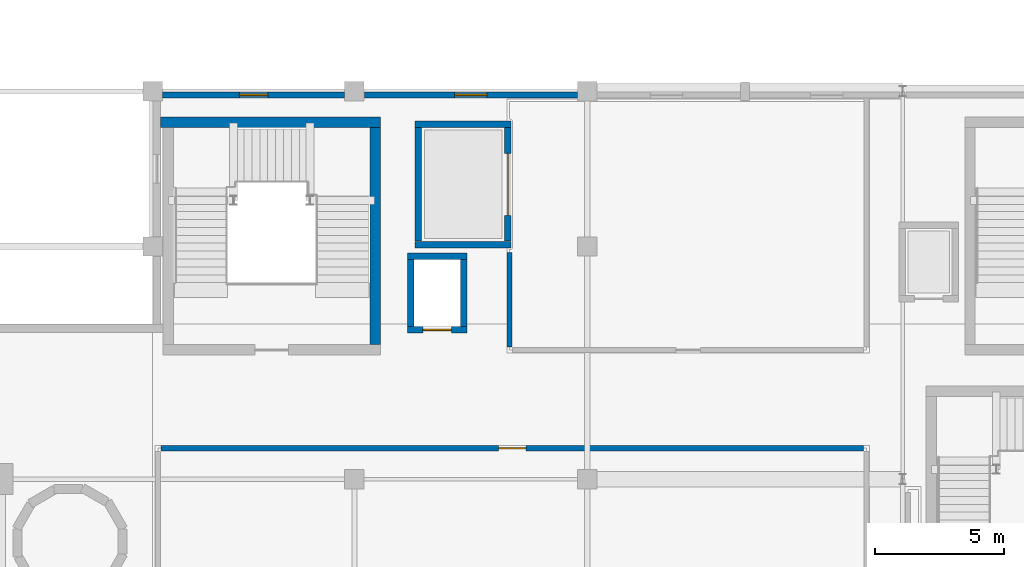
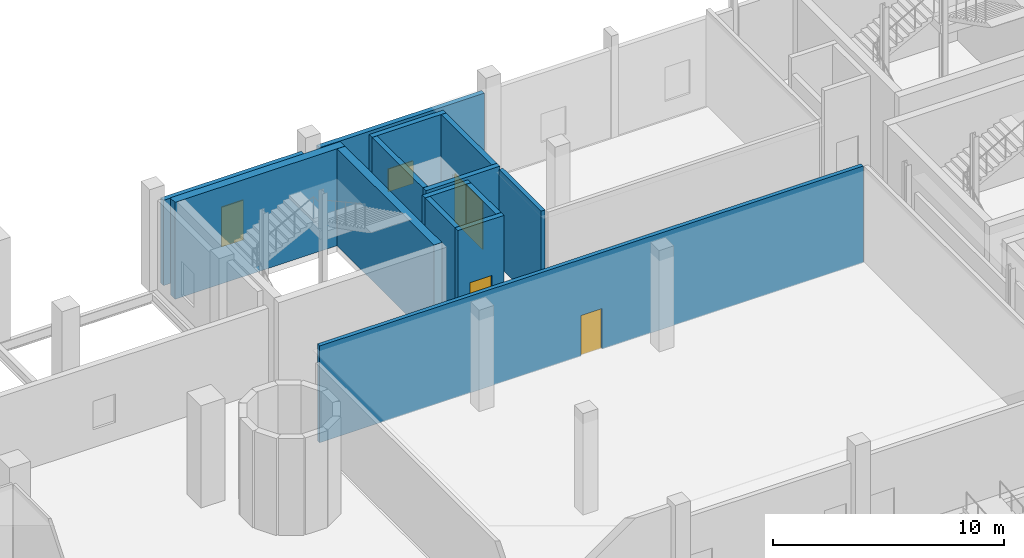
# One storey, part 43 of 57: 14 walls, 3 doors, 2 windows, 5 openings.
"""IFC4 building model written with IfcOpenShell, lengths in metres."""

import ifcopenshell
import ifcopenshell.guid

model = None  # the IFC model being written
_history = None  # IfcOwnerHistory: only IFC2X3 demands one
_inside = {}  # id of a spatial element -> (the spatial element, [elements in it])
_under = {}  # id of a project, library or spatial element -> (it, [spatial elements below it])
_declared = {}  # id of a project -> (the project, [libraries it declares])
_typed = {}  # id of a type object -> (the type object, [elements of that type])
_made_of = {}  # id of a material, layer set ... -> (it, [elements and type objects made of it])


def new_model(schema):
    """Start an empty IFC model of exactly this schema.

    Asked for "IFC4X3", IfcOpenShell would pick the latest addendum, in which some entities
    have other attributes; the version numbers below select the first issue.
    IFC2X3 requires an IfcOwnerHistory on every rooted entity: one is made here for all.
    """
    global model, _history
    if schema == "IFC4X3":
        model = ifcopenshell.file(schema_version=(4, 3, 0, 0))
    else:
        model = ifcopenshell.file(schema=schema)
    _inside.clear()
    _under.clear()
    _declared.clear()
    _typed.clear()
    _made_of.clear()
    _history = None
    if model.schema == "IFC2X3":
        org = make("IfcOrganization", Name="unknown")
        user = make(
            "IfcPersonAndOrganization",
            ThePerson=make("IfcPerson", FamilyName="unknown"),
            TheOrganization=org,
        )
        app = make(
            "IfcApplication",
            ApplicationDeveloper=org,
            Version="unknown",
            ApplicationFullName="unknown",
            ApplicationIdentifier="unknown",
        )
        _history = make(
            "IfcOwnerHistory",
            OwningUser=user,
            OwningApplication=app,
            ChangeAction="ADDED",
            CreationDate=0,
        )
    return model


def make(cls, **values):
    """One entity of the class cls with the attributes given. An attribute that is None is left unset."""
    return model.create_entity(
        cls, **{name: value for name, value in values.items() if value is not None}
    )


def rooted(cls, **values):
    """An entity with a GlobalId (a new one), such as an element, a storey or a relation."""
    return make(cls, GlobalId=ifcopenshell.guid.new(), OwnerHistory=_history, **values)


def si_unit(unit_type, name, prefix=None):
    """IfcSIUnit, for example si_unit("LENGTHUNIT", "METRE", prefix="MILLI")."""
    return make("IfcSIUnit", UnitType=unit_type, Prefix=prefix, Name=name)


def derived_unit(unit_type, elements):
    """IfcDerivedUnit: a product of units, each with its exponent."""
    return make(
        "IfcDerivedUnit",
        Elements=[
            make("IfcDerivedUnitElement", Unit=unit, Exponent=power)
            for unit, power in elements
        ],
        UnitType=unit_type,
    )


def assignment(units):
    """IfcUnitAssignment: the units of a project."""
    return None if units is None else make("IfcUnitAssignment", Units=units)


def point(xyz):
    """IfcCartesianPoint."""
    return None if xyz is None else make("IfcCartesianPoint", Coordinates=xyz)


def direction(xyz):
    """IfcDirection."""
    return None if xyz is None else make("IfcDirection", DirectionRatios=xyz)


def frame(location, z_axis=None, x_axis=None):
    """IfcAxis2Placement3D, a coordinate frame: its origin and axes. An axis left out is left unset."""
    return make(
        "IfcAxis2Placement3D",
        Location=point(location),
        Axis=direction(z_axis),
        RefDirection=direction(x_axis),
    )


def frame_2d(location, x_axis=None):
    """IfcAxis2Placement2D, a coordinate frame in the plane: its origin and x axis."""
    return make(
        "IfcAxis2Placement2D", Location=point(location), RefDirection=direction(x_axis)
    )


def origin():
    """The frame at (0, 0, 0) with its axes left unset."""
    return frame((0.0, 0.0, 0.0))


def place(relative_to, where):
    """IfcLocalPlacement: puts the frame where relative to a parent placement (None: the world)."""
    return make(
        "IfcLocalPlacement", PlacementRelTo=relative_to, RelativePlacement=where
    )


def context(
    kind, dimensions, precision=None, world=None, true_north=None, identifier=None
):
    """IfcGeometricRepresentationContext, for example the 3D "Model" context."""
    return make(
        "IfcGeometricRepresentationContext",
        ContextIdentifier=identifier,
        ContextType=kind,
        CoordinateSpaceDimension=dimensions,
        Precision=precision,
        WorldCoordinateSystem=world,
        TrueNorth=true_north,
    )


def subcontext(parent, identifier, kind, view, scale=None):
    """IfcGeometricRepresentationSubContext, for example "Body" below "Model"."""
    return make(
        "IfcGeometricRepresentationSubContext",
        ContextIdentifier=identifier,
        ContextType=kind,
        ParentContext=parent,
        TargetScale=scale,
        TargetView=view,
    )


def project(units=None, contexts=None):
    """IfcProject with its units and contexts."""
    return rooted(
        "IfcProject",
        Name="project",
        RepresentationContexts=contexts,
        UnitsInContext=assignment(units),
    )


def spatial(cls, under=None, at=None, **own):
    """A site, building, storey or space (cls), placed at a placement, below another one or the project."""
    s = rooted(cls, ObjectPlacement=at, **own)
    if under is not None:
        _under.setdefault(under.id(), (under, []))[1].append(s)
    return s


def profile(cls, at=None, kind="AREA", **sizes):
    """A parametric profile (cls). Its sizes go by their IFC names, for example OverallWidth=200.0."""
    return make(cls, ProfileType=kind, Position=at, **sizes)


def rectangle(**sizes):
    """IfcRectangleProfileDef."""
    return profile("IfcRectangleProfileDef", **sizes)


def extrude(swept, where, along, depth):
    """IfcExtrudedAreaSolid: the profile swept, set in the frame where, extruded along a direction by depth."""
    return make(
        "IfcExtrudedAreaSolid",
        SweptArea=swept,
        Position=where,
        ExtrudedDirection=direction(along),
        Depth=depth,
    )


def shape(context_of_items, identifier, shape_type, items):
    """IfcShapeRepresentation: the items that make up one representation, for example the "Body"."""
    return make(
        "IfcShapeRepresentation",
        ContextOfItems=context_of_items,
        RepresentationIdentifier=identifier,
        RepresentationType=shape_type,
        Items=items,
    )


def material(Name=None, Category=None):
    """IfcMaterial."""
    return make("IfcMaterial", Name=Name, Category=Category)


def layer(
    of_material, thickness, ventilated=None, Name=None, Category=None, Priority=None
):
    """IfcMaterialLayer: one layer of a wall or slab, of a material (None: an air gap)."""
    return make(
        "IfcMaterialLayer",
        Material=of_material,
        LayerThickness=thickness,
        IsVentilated=ventilated,
        Name=Name,
        Category=Category,
        Priority=Priority,
    )


def layer_set(layers, Name=None):
    """IfcMaterialLayerSet."""
    return make("IfcMaterialLayerSet", MaterialLayers=layers, LayerSetName=Name)


def made_of(thing, what):
    """Note that an element or type object is made of a material, layer set ...; save() writes the relation."""
    if what is not None:
        _made_of.setdefault(what.id(), (what, []))[1].append(thing)
    return thing


def type_object(cls, material=None, **own):
    """A type object (cls), such as IfcWallType, which elements share."""
    return made_of(rooted(cls, **own), material)


def element(
    cls,
    number,
    at=None,
    inside=None,
    cuts=None,
    type_object=None,
    material=None,
    context=None,
    identifier="Body",
    shape_type=None,
    held_by="IfcProductDefinitionShape",
    body=None,
    shapes=None,
    **own,
):
    """One element of the class cls, such as IfcWall. Its Tag is "e" and its number.

    at: its placement. inside: the storey or other place that contains it. cuts: it is an
    opening in that element (IfcRelVoidsElement). A single representation is given by context,
    identifier, shape_type and body (its items); several are given by shapes. held_by: the class
    of the entity that holds the representations. save() writes the other relations.
    """
    e = rooted(cls, Tag="e%d" % number, ObjectPlacement=at, **own)
    if body is not None:
        shapes = [shape(context, identifier, shape_type, body)]
    if shapes is not None:
        e.Representation = make(held_by, Representations=shapes)
    if inside is not None:
        _inside.setdefault(inside.id(), (inside, []))[1].append(e)
    if cuts is not None:
        rooted(
            "IfcRelVoidsElement", RelatingBuildingElement=cuts, RelatedOpeningElement=e
        )
    if type_object is not None:
        _typed.setdefault(type_object.id(), (type_object, []))[1].append(e)
    return made_of(e, material)


def fill(opening, filler):
    """IfcRelFillsElement: the door or window that sits in an opening."""
    return rooted(
        "IfcRelFillsElement",
        RelatingOpeningElement=opening,
        RelatedBuildingElement=filler,
    )


def aggregate(whole, parts):
    """IfcRelAggregates: a whole, such as a stair, and the parts it consists of."""
    return rooted("IfcRelAggregates", RelatingObject=whole, RelatedObjects=parts)


def save(model, path):
    """Write the relations noted so far, then the file.

    IfcRelAggregates (storeys below a building ...), IfcRelContainedInSpatialStructure (elements
    in a storey), IfcRelDefinesByType, IfcRelAssociatesMaterial and IfcRelDeclares: one each for
    every whole, place, type object, material and project.
    """
    for whole, parts in _under.values():
        aggregate(whole, parts)
    for where, things in _inside.values():
        rooted(
            "IfcRelContainedInSpatialStructure",
            RelatedElements=things,
            RelatingStructure=where,
        )
    for kind, things in _typed.values():
        rooted("IfcRelDefinesByType", RelatedObjects=things, RelatingType=kind)
    for what, things in _made_of.values():
        rooted("IfcRelAssociatesMaterial", RelatedObjects=things, RelatingMaterial=what)
    for by, libraries in _declared.values():
        rooted("IfcRelDeclares", RelatingContext=by, RelatedDefinitions=libraries)
    model.write(path)


model = new_model("IFC4")

# Units and contexts
model_context = context("Model", 3, precision=1e-05, world=origin(), true_north=direction((0.0, 1.0)))
body_context = subcontext(model_context, "Body", "Model", "MODEL_VIEW")
ifc_project = project(units=[si_unit("LENGTHUNIT", "METRE"), si_unit("AREAUNIT", "SQUARE_METRE"), si_unit("VOLUMEUNIT", "CUBIC_METRE"), si_unit("PLANEANGLEUNIT", "RADIAN"), si_unit("MASSUNIT", "GRAM", prefix="KILO"), derived_unit("THERMALTRANSMITTANCEUNIT", [(si_unit("POWERUNIT", "WATT"), 1), (si_unit("LENGTHUNIT", "METRE"), -2), (si_unit("THERMODYNAMICTEMPERATUREUNIT", "KELVIN"), -1)])], contexts=[model_context])

# Site, building, storey
site_placement = place(None, origin())
site = spatial("IfcSite", under=ifc_project, at=site_placement, CompositionType="ELEMENT")
building_placement = place(site_placement, origin())
building = spatial("IfcBuilding", under=site, at=building_placement, Name="Nallur Shell Playhouse", CompositionType="ELEMENT")
storey_placement = place(building_placement, origin())
storey = spatial("IfcBuildingStorey", under=building, at=storey_placement, Name="L01", CompositionType="ELEMENT", Elevation=0.0)

# Walls
ifc_material_1 = material(Name="Concrete M45", Category="concrete")
ifc_layer_1 = layer(ifc_material_1, 0.39990234375)
ifc_layer_set_1 = layer_set([ifc_layer_1], Name="Concrete M45")
wall_type_1 = type_object("IfcWallType", Name="WL-CORE-400", PredefinedType="SHEAR", material=ifc_layer_set_1)
wall_1_placement = place(storey_placement, frame((127.39990234375, 54.800048828125, 0.0), z_axis=(0.0, 0.0, 1.0), x_axis=(-1.0, 0.0, 0.0)))
element("IfcWall", 1, at=wall_1_placement, inside=storey, type_object=wall_type_1, Name="Joint Core JC-2 shear wall N (L01)", PredefinedType="SHEAR", context=body_context, shape_type="SweptSolid", body=[
    extrude(rectangle(XDim=8.495849609375, YDim=0.39990234375, at=frame_2d((4.248046875, 0.0))), origin(), (0.0, 0.0, 1.0), 5.1201171875),
])
wall_2_placement = place(storey_placement, frame((127.199951171875, 46.2099609375, 0.0), z_axis=(0.0, 0.0, 1.0), x_axis=(0.0, 1.0, 0.0)))
element("IfcWall", 2, at=wall_2_placement, inside=storey, type_object=wall_type_1, Name="Joint Core JC-2 shear wall E (L01)", PredefinedType="SHEAR", context=body_context, shape_type="SweptSolid", body=[
    extrude(rectangle(XDim=8.380126953125, YDim=0.39990234375, at=frame_2d((4.18994140625, 0.0))), origin(), (0.0, 0.0, 1.0), 5.1201171875),
])

# Wall, opening, window
ifc_material_2 = material(Name="Precast concrete M40", Category="concrete")
ifc_layer_2 = layer(ifc_material_2, 0.239990234375)
ifc_layer_set_2 = layer_set([ifc_layer_2], Name="Precast concrete M40")
wall_type_2 = type_object("IfcWallType", Name="WL-EXT-CLAD240", PredefinedType="ELEMENTEDWALL", material=ifc_layer_set_2)
wall_3_placement = place(storey_placement, frame((118.98291015625, 55.860107421875, 0.0), z_axis=(0.0, 0.0, 1.0), x_axis=(1.0, 0.0, 0.0)))
wall_3 = element("IfcWall", 3, at=wall_3_placement, inside=storey, type_object=wall_type_2, Name="L01 exterior wall EW-L01-029", PredefinedType="ELEMENTEDWALL", context=body_context, shape_type="SweptSolid", body=[
    extrude(rectangle(XDim=7.0341796875, YDim=0.239990234375, at=frame_2d((3.51708984375, 0.0))), origin(), (0.0, 0.0, 1.0), 4.5048828125),
])
opening_1_placement = place(wall_3_placement, frame((2.967041015625, 0.0, 0.949951171875)))
opening_1 = element("IfcOpeningElement", 4, at=opening_1_placement, cuts=wall_3, Name="Opening WN-08", PredefinedType="OPENING", context=body_context, shape_type="SweptSolid", body=[
    extrude(rectangle(XDim=1.10009765625, YDim=2.10009765625, at=frame_2d((0.550048828125, 1.050048828125))), frame((0.0, 0.1298828125, 0.0), z_axis=(0.0, -1.0, 0.0), x_axis=(1.0, 0.0, 0.0)), (0.0, 0.0, 1.0), 0.260009765625),
])
ifc_material_3 = material(Name="Thermally Broken Aluminium Acoustic Double-Glazed Window", Category="aluminium")
window_type_1 = type_object("IfcWindowType", Name="WN-TYPE-08", PartitioningType="SINGLE_PANEL", PredefinedType="WINDOW", material=ifc_material_3)
window_1_placement = place(opening_1_placement, origin())
window_1 = element("IfcWindow", 5, at=window_1_placement, inside=storey, type_object=window_type_1, Name="L01 facade module window 008", OverallHeight=2.10009765625, OverallWidth=1.10009765625, PartitioningType="SINGLE_PANEL", PredefinedType="WINDOW", context=body_context, shape_type="SweptSolid", body=[
    extrude(rectangle(XDim=1.10009765625, YDim=2.10009765625, at=frame_2d((0.550048828125, 1.050048828125))), frame((0.0, 0.030029296875, 0.0), z_axis=(0.0, -1.0, 0.0), x_axis=(1.0, 0.0, 0.0)), (0.0, 0.0, 1.0), 0.06005859375),
])
fill(opening_1, window_1)

wall_4_placement = place(storey_placement, frame((126.782958984375, 55.860107421875, 0.0), z_axis=(0.0, 0.0, 1.0), x_axis=(1.0, 0.0, 0.0)))
wall_4 = element("IfcWall", 6, at=wall_4_placement, inside=storey, type_object=wall_type_2, Name="L01 exterior wall EW-L01-030", PredefinedType="ELEMENTEDWALL", context=body_context, shape_type="SweptSolid", body=[
    extrude(rectangle(XDim=8.234130859375, YDim=0.239990234375, at=frame_2d((4.1171875, 0.0))), origin(), (0.0, 0.0, 1.0), 4.554931640625),
])
opening_2_placement = place(wall_4_placement, frame((3.491943359375, 0.0, 0.949951171875)))
opening_2 = element("IfcOpeningElement", 7, at=opening_2_placement, cuts=wall_4, Name="Opening WN-09", PredefinedType="OPENING", context=body_context, shape_type="SweptSolid", body=[
    extrude(rectangle(XDim=1.25, YDim=1.199951171875, at=frame_2d((0.625, 0.60009765625))), frame((0.0, 0.1298828125, 0.0), z_axis=(0.0, -1.0, 0.0), x_axis=(1.0, 0.0, 0.0)), (0.0, 0.0, 1.0), 0.260009765625),
])
window_type_2 = type_object("IfcWindowType", Name="WN-TYPE-09", PartitioningType="SINGLE_PANEL", PredefinedType="WINDOW", material=ifc_material_3)
window_2_placement = place(opening_2_placement, origin())
window_2 = element("IfcWindow", 8, at=window_2_placement, inside=storey, type_object=window_type_2, Name="L01 facade module window 009", OverallHeight=1.199951171875, OverallWidth=1.25, PartitioningType="SINGLE_PANEL", PredefinedType="WINDOW", context=body_context, shape_type="SweptSolid", body=[
    extrude(rectangle(XDim=1.25, YDim=1.199951171875, at=frame_2d((0.625, 0.60009765625))), frame((0.0, 0.030029296875, 0.0), z_axis=(0.0, -1.0, 0.0), x_axis=(1.0, 0.0, 0.0)), (0.0, 0.0, 1.0), 0.06005859375),
])
fill(opening_2, window_2)

# Wall, opening, door
ifc_material_4 = material(Name="Concrete M30", Category="concrete")
ifc_layer_3 = layer(ifc_material_4, 0.199951171875)
ifc_layer_set_3 = layer_set([ifc_layer_3], Name="Concrete M30")
wall_type_3 = type_object("IfcWallType", Name="WL-PART-AC200", PredefinedType="PARTITIONING", material=ifc_layer_set_3)
wall_5_placement = place(storey_placement, frame((118.919921875, 42.199951171875, 0.0), z_axis=(0.0, 0.0, 1.0), x_axis=(1.0, 0.0, 0.0)))
wall_5 = element("IfcWall", 9, at=wall_5_placement, inside=storey, type_object=wall_type_3, Name="Monsoon Courtyard Arts Cafe partition IW-L01-0059", PredefinedType="PARTITIONING", context=body_context, shape_type="SweptSolid", body=[
    extrude(rectangle(XDim=27.16015625, YDim=0.199951171875, at=frame_2d((13.580078125, 0.0))), origin(), (0.0, 0.0, 1.0), 5.110107421875),
])
opening_3_placement = place(wall_5_placement, frame((13.054931640625, 0.0, 0.0)))
opening_3 = element("IfcOpeningElement", 10, at=opening_3_placement, cuts=wall_5, Name="Opening ID-02", PredefinedType="OPENING", context=body_context, shape_type="SweptSolid", body=[
    extrude(rectangle(XDim=1.050048828125, YDim=2.14990234375, at=frame_2d((0.52490234375, 1.074951171875))), frame((0.0, 0.10986328125, 0.0), z_axis=(0.0, -1.0, 0.0), x_axis=(1.0, 0.0, 0.0)), (0.0, 0.0, 1.0), 0.219970703125),
])
ifc_material_5 = material(Name="Solid-Core Engineered Timber Fire Door", Category="wood")
door_type_1 = type_object("IfcDoorType", Name="DR-INT-SGL1050R", OperationType="SINGLE_SWING_RIGHT", PredefinedType="DOOR", material=ifc_material_5)
door_1_placement = place(opening_3_placement, origin())
door_1 = element("IfcDoor", 11, at=door_1_placement, inside=storey, type_object=door_type_1, Name="Monsoon Courtyard Arts Cafe door 1", OperationType="SINGLE_SWING_RIGHT", OverallHeight=2.14990234375, OverallWidth=1.050048828125, PredefinedType="DOOR", context=body_context, shape_type="SweptSolid", body=[
    extrude(rectangle(XDim=1.050048828125, YDim=2.14990234375, at=frame_2d((0.52490234375, 1.074951171875))), frame((0.0, 0.02490234375, 0.0), z_axis=(0.0, -1.0, 0.0), x_axis=(1.0, 0.0, 0.0)), (0.0, 0.0, 1.0), 0.050048828125),
])
fill(opening_3, door_1)

# Wall
wall_6_placement = place(storey_placement, frame((132.39990234375, 46.1201171875, 0.0), z_axis=(0.0, 0.0, 1.0), x_axis=(0.0, 1.0, 0.0)))
element("IfcWall", 12, at=wall_6_placement, inside=storey, type_object=wall_type_3, Name="Commercial Catering Kitchen & Scullery partition IW-L01-0064", PredefinedType="PARTITIONING", context=body_context, shape_type="SweptSolid", body=[
    extrude(rectangle(XDim=3.639892578125, YDim=0.199951171875, at=frame_2d((1.81982421875, 0.0))), origin(), (0.0, 0.0, 1.0), 5.110107421875),
])

# Wall, opening, door
ifc_layer_4 = layer(ifc_material_1, 0.25)
ifc_layer_set_4 = layer_set([ifc_layer_4], Name="Concrete M45")
wall_type_4 = type_object("IfcWallType", Name="WL-SHAFT-250", PredefinedType="STANDARD", material=ifc_layer_set_4)
wall_7_placement = place(storey_placement, frame((128.449951171875, 46.77490234375, 0.0), z_axis=(0.0, 0.0, 1.0), x_axis=(1.0, 0.0, 0.0)))
wall_7 = element("IfcWall", 13, at=wall_7_placement, inside=storey, type_object=wall_type_4, Name="Passenger Lift PL-2 shaft wall south (L01)", PredefinedType="STANDARD", context=body_context, shape_type="SweptSolid", body=[
    extrude(rectangle(XDim=2.300048828125, YDim=0.25, at=frame_2d((1.14990234375, 0.0))), origin(), (0.0, 0.0, 1.0), 5.110107421875),
])
opening_4_placement = place(wall_7_placement, frame((0.60009765625, 0.0, 0.0)))
opening_4 = element("IfcOpeningElement", 14, at=opening_4_placement, cuts=wall_7, Name="Opening LD-P1", PredefinedType="OPENING", context=body_context, shape_type="SweptSolid", body=[
    extrude(rectangle(XDim=1.10009765625, YDim=2.14990234375, at=frame_2d((0.550048828125, 1.074951171875))), frame((0.0, 0.135009765625, 0.0), z_axis=(0.0, -1.0, 0.0), x_axis=(1.0, 0.0, 0.0)), (0.0, 0.0, 1.0), 0.27001953125),
])
ifc_material_6 = material(Name="Brushed Stainless Steel Lift Landing Door", Category="steel")
door_type_2 = type_object("IfcDoorType", Name="DR-LIFT-PASS", OperationType="DOUBLE_DOOR_SLIDING", PredefinedType="DOOR", material=ifc_material_6)
door_2_placement = place(opening_4_placement, origin())
door_2 = element("IfcDoor", 15, at=door_2_placement, inside=storey, type_object=door_type_2, Name="Passenger Lift PL-2 sliding landing door (L01)", OperationType="DOUBLE_DOOR_SLIDING", OverallHeight=2.14990234375, OverallWidth=1.10009765625, PredefinedType="DOOR", context=body_context, shape_type="SweptSolid", body=[
    extrude(rectangle(XDim=1.10009765625, YDim=2.14990234375, at=frame_2d((0.550048828125, 1.074951171875))), frame((0.0, 0.02490234375, 0.0), z_axis=(0.0, -1.0, 0.0), x_axis=(1.0, 0.0, 0.0)), (0.0, 0.0, 1.0), 0.050048828125),
])
fill(opening_4, door_2)

# Walls
wall_8_placement = place(storey_placement, frame((130.75, 49.625, 0.0), z_axis=(0.0, 0.0, 1.0), x_axis=(-1.0, 0.0, 0.0)))
element("IfcWall", 16, at=wall_8_placement, inside=storey, type_object=wall_type_4, Name="Passenger Lift PL-2 shaft wall north (L01)", PredefinedType="STANDARD", context=body_context, shape_type="SweptSolid", body=[
    extrude(rectangle(XDim=2.300048828125, YDim=0.25, at=frame_2d((1.14990234375, 0.0))), origin(), (0.0, 0.0, 1.0), 5.110107421875),
])
for number, where, z_axis, x_axis, name in (
    (17, (130.625, 46.909912109375, 0.0), (0.0, 0.0, 1.0), (0.0, 1.0, 0.0), "Passenger Lift PL-2 shaft wall east (L01)"),
    (18, (128.574951171875, 49.489990234375, 0.0), (0.0, 0.0, 1.0), (0.0, -1.0, 0.0), "Passenger Lift PL-2 shaft wall west (L01)"),
):
    element("IfcWall", number, at=place(storey_placement, frame(where, z_axis=z_axis, x_axis=x_axis)), inside=storey, type_object=wall_type_4, Name=name, PredefinedType="STANDARD", context=body_context, shape_type="SweptSolid", body=[
        extrude(rectangle(XDim=2.580078125, YDim=0.25, at=frame_2d((1.2900390625, 0.0))), origin(), (0.0, 0.0, 1.0), 5.110107421875),
    ])
for number, where, z_axis, x_axis, name in (
    (19, (128.75, 50.074951171875, 0.0), (0.0, 0.0, 1.0), (1.0, 0.0, 0.0), "Stage Service Lift SL-2 shaft wall south (L01)"),
    (20, (132.449951171875, 54.72509765625, 0.0), (0.0, 0.0, 1.0), (-1.0, 0.0, 0.0), "Stage Service Lift SL-2 shaft wall north (L01)"),
):
    element("IfcWall", number, at=place(storey_placement, frame(where, z_axis=z_axis, x_axis=x_axis)), inside=storey, type_object=wall_type_4, Name=name, PredefinedType="STANDARD", context=body_context, shape_type="SweptSolid", body=[
        extrude(rectangle(XDim=3.699951171875, YDim=0.25, at=frame_2d((1.85009765625, 0.0))), origin(), (0.0, 0.0, 1.0), 5.110107421875),
    ])

# Wall, opening, door
wall_9_placement = place(storey_placement, frame((132.324951171875, 50.2099609375, 0.0), z_axis=(0.0, 0.0, 1.0), x_axis=(0.0, 1.0, 0.0)))
wall_9 = element("IfcWall", 21, at=wall_9_placement, inside=storey, type_object=wall_type_4, Name="Stage Service Lift SL-2 shaft wall east (L01)", PredefinedType="STANDARD", context=body_context, shape_type="SweptSolid", body=[
    extrude(rectangle(XDim=4.380126953125, YDim=0.25, at=frame_2d((2.18994140625, 0.0))), origin(), (0.0, 0.0, 1.0), 5.110107421875),
])
opening_5_placement = place(wall_9_placement, frame((0.989990234375, 0.0, 0.0)))
opening_5 = element("IfcOpeningElement", 22, at=opening_5_placement, cuts=wall_9, Name="Opening LD-S1", PredefinedType="OPENING", context=body_context, shape_type="SweptSolid", body=[
    extrude(rectangle(XDim=2.39990234375, YDim=2.550048828125, at=frame_2d((1.199951171875, 1.27490234375))), frame((0.0, 0.135009765625, 0.0), z_axis=(0.0, -1.0, 0.0), x_axis=(1.0, 0.0, 0.0)), (0.0, 0.0, 1.0), 0.27001953125),
])
ifc_material_7 = material(Name="Scenery Freight Lift Bi-Parting Landing Door")
door_type_3 = type_object("IfcDoorType", Name="DR-LIFT-SCEN", OperationType="DOUBLE_DOOR_SLIDING", PredefinedType="DOOR", material=ifc_material_7)
door_3_placement = place(opening_5_placement, origin())
door_3 = element("IfcDoor", 23, at=door_3_placement, inside=storey, type_object=door_type_3, Name="Stage Service Lift SL-2 sliding landing door (L01)", OperationType="DOUBLE_DOOR_SLIDING", OverallHeight=2.550048828125, OverallWidth=2.39990234375, PredefinedType="DOOR", context=body_context, shape_type="SweptSolid", body=[
    extrude(rectangle(XDim=2.39990234375, YDim=2.550048828125, at=frame_2d((1.199951171875, 1.27490234375))), frame((0.0, 0.02490234375, 0.0), z_axis=(0.0, -1.0, 0.0), x_axis=(1.0, 0.0, 0.0)), (0.0, 0.0, 1.0), 0.050048828125),
])
fill(opening_5, door_3)

# Wall
wall_10_placement = place(storey_placement, frame((128.875, 54.590087890625, 0.0), z_axis=(0.0, 0.0, 1.0), x_axis=(0.0, -1.0, 0.0)))
element("IfcWall", 24, at=wall_10_placement, inside=storey, type_object=wall_type_4, Name="Stage Service Lift SL-2 shaft wall west (L01)", PredefinedType="STANDARD", context=body_context, shape_type="SweptSolid", body=[
    extrude(rectangle(XDim=4.380126953125, YDim=0.25, at=frame_2d((2.18994140625, 0.0))), origin(), (0.0, 0.0, 1.0), 5.110107421875),
])

save(model, "model.ifc")
